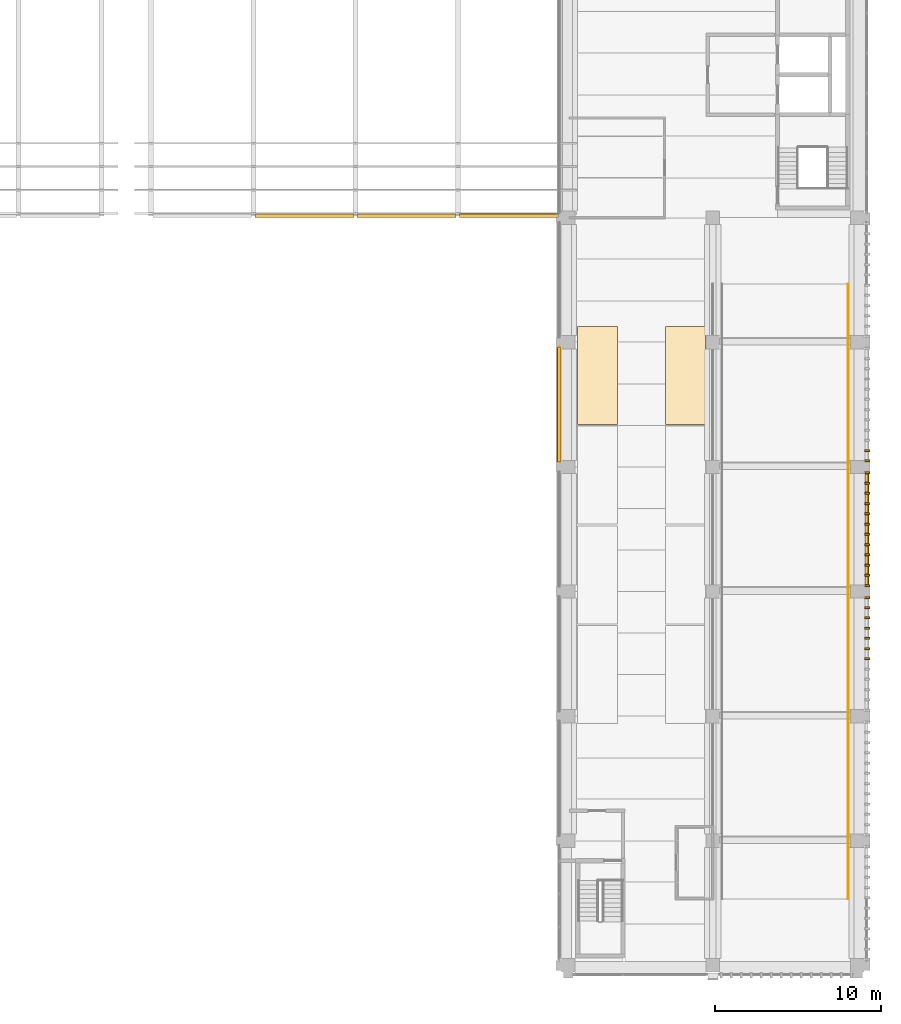
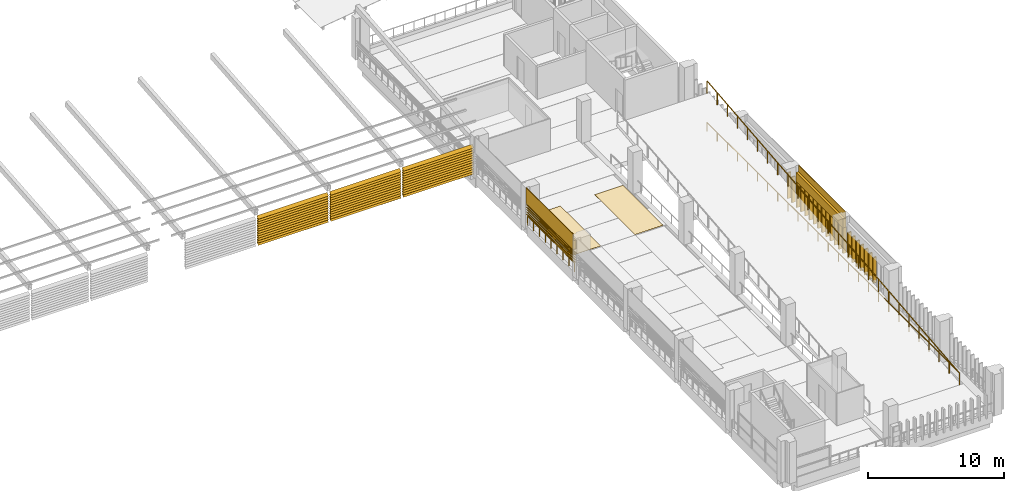
# One storey, part 48 of 52: 41 shading devices, 25 coverings, 3 railings.
"""IFC4 building model written with IfcOpenShell, lengths in metres."""

from ifc_helpers import new_model, si_unit, direction, frame, origin, origin_2d, place, context, subcontext, project, spatial, polyline, circle, outline, extrude, material, layer, layer_set, type_object, element, save


model = new_model("IFC4")

# Units and contexts
model_context = context("Model", 3, precision=1e-05, world=origin(), true_north=direction((0.0, 1.0)))
body_context = subcontext(model_context, "Body", "Model", "MODEL_VIEW")
ifc_project = project(units=[si_unit("LENGTHUNIT", "METRE"), si_unit("AREAUNIT", "SQUARE_METRE"), si_unit("VOLUMEUNIT", "CUBIC_METRE"), si_unit("PLANEANGLEUNIT", "RADIAN"), si_unit("MASSUNIT", "GRAM", prefix="KILO")], contexts=[model_context])

# Site, building, storey
site_placement = place(None, origin())
site = spatial("IfcSite", under=ifc_project, at=site_placement, CompositionType="ELEMENT")
building_placement = place(site_placement, origin())
building = spatial("IfcBuilding", under=site, at=building_placement, Name="Cour d'Honneur Mobility Palace", CompositionType="ELEMENT")
storey_placement = place(building_placement, frame((0.0, 0.0, 23.0)))
storey = spatial("IfcBuildingStorey", under=building, at=storey_placement, Name="L06", CompositionType="ELEMENT", Elevation=23.0)

# Railing
ifc_material_1 = material(Name="Painted steel", Category="steel")
railing_type_1 = type_object("IfcRailingType", Name="Balustrade", PredefinedType="BALUSTRADE", material=ifc_material_1)
railing_1_placement = place(storey_placement, frame((144.35009765625, 37.199951171875, 0.300048828125)))
element("IfcRailing", 1, at=railing_1_placement, inside=storey, type_object=railing_type_1, Name="Balustrade BAL-357", PredefinedType="BALUSTRADE", context=body_context, shape_type="SweptSolid", body=[
    extrude(circle(Radius=0.02392578125, at=origin_2d()), frame((0.0, 0.0, 0.77587890625), z_axis=(0.0, -1.0, 0.0), x_axis=(1.0, 0.0, 0.0)), (0.0, 0.0, 1.0), 6.89990234375),
    extrude(circle(Radius=0.02099609375, at=origin_2d()), origin(), (0.0, 0.0, 1.0), 0.751953125),
    extrude(circle(Radius=0.02099609375, at=origin_2d()), frame((0.0, -0.862548828125, 0.0)), (0.0, 0.0, 1.0), 0.751953125),
    extrude(circle(Radius=0.02099609375, at=origin_2d()), frame((0.0, -1.72509765625, 0.0)), (0.0, 0.0, 1.0), 0.751953125),
    extrude(circle(Radius=0.02099609375, at=origin_2d()), frame((0.0, -2.58740234375, 0.0)), (0.0, 0.0, 1.0), 0.751953125),
    extrude(circle(Radius=0.02099609375, at=origin_2d()), frame((0.0, -3.449951171875, 0.0)), (0.0, 0.0, 1.0), 0.751953125),
    extrude(circle(Radius=0.02099609375, at=origin_2d()), frame((0.0, -4.3125, 0.0)), (0.0, 0.0, 1.0), 0.751953125),
    extrude(circle(Radius=0.02099609375, at=origin_2d()), frame((0.0, -5.1748046875, 0.0)), (0.0, 0.0, 1.0), 0.751953125),
    extrude(circle(Radius=0.02099609375, at=origin_2d()), frame((0.0, -6.037353515625, 0.0)), (0.0, 0.0, 1.0), 0.751953125),
    extrude(circle(Radius=0.02099609375, at=origin_2d()), frame((0.0, -6.89990234375, 0.0)), (0.0, 0.0, 1.0), 0.751953125),
])

# Coverings
ifc_material_2 = material(Name="Parking marking paint")
ifc_layer_1 = layer(ifc_material_2, 0.0048828125)
ifc_layer_set_1 = layer_set([ifc_layer_1], Name="Parking marking paint")
covering_type_1 = type_object("IfcCoveringType", Name="Parking bay marking", PredefinedType="FLOORING", material=ifc_layer_set_1)
covering_1_placement = place(storey_placement, origin())
element("IfcCovering", 2, at=covering_1_placement, inside=storey, type_object=covering_type_1, Name="Parking bay marking L06 4", PredefinedType="FLOORING", context=body_context, shape_type="SweptSolid", body=[
    extrude(outline(polyline([(153.14990234375, 32.550048828125), (150.75, 32.550048828125), (150.75, 38.449951171875), (153.14990234375, 38.449951171875), (153.14990234375, 32.550048828125)])), origin(), (0.0, 0.0, 1.0), 0.0048828125),
])
covering_2_placement = place(storey_placement, origin())
element("IfcCovering", 3, at=covering_2_placement, inside=storey, type_object=covering_type_1, Name="Parking bay marking L06 8", PredefinedType="FLOORING", context=body_context, shape_type="SweptSolid", body=[
    extrude(outline(polyline([(147.85009765625, 32.550048828125), (145.449951171875, 32.550048828125), (145.449951171875, 38.449951171875), (147.85009765625, 38.449951171875), (147.85009765625, 32.550048828125)])), origin(), (0.0, 0.0, 1.0), 0.0048828125),
])

# Railing
ifc_material_3 = material(Name="Painted steel", Category="steel")
railing_type_2 = type_object("IfcRailingType", Name="Ramp guard 1100", PredefinedType="GUARDRAIL", material=ifc_material_3)
railing_2_placement = place(storey_placement, frame((161.75, 4.0, 0.0)))
element("IfcRailing", 4, at=railing_2_placement, inside=storey, type_object=railing_type_2, Name="Ramp guard Ramp East 7", PredefinedType="GUARDRAIL", context=body_context, shape_type="SweptSolid", body=[
    extrude(circle(Radius=0.02490234375, at=origin_2d()), frame((0.0, 0.0, 1.0751953125), z_axis=(0.0, 0.995037320222, 0.099502418892), x_axis=(-1.0, 0.0, 0.0)), (0.0, 0.0, 1.0), 37.1845703125),
    extrude(circle(Radius=0.02099609375, at=origin_2d()), origin(), (0.0, 0.0, 1.0), 1.050048828125),
    extrude(circle(Radius=0.02099609375, at=origin_2d()), frame((0.0, 1.47998046875, 0.14794921875)), (0.0, 0.0, 1.0), 1.050048828125),
    extrude(circle(Radius=0.02099609375, at=origin_2d()), frame((0.0, 2.9599609375, 0.2958984375)), (0.0, 0.0, 1.0), 1.050048828125),
    extrude(circle(Radius=0.02099609375, at=origin_2d()), frame((0.0, 4.43994140625, 0.444091796875)), (0.0, 0.0, 1.0), 1.050048828125),
    extrude(circle(Radius=0.02099609375, at=origin_2d()), frame((0.0, 5.919921875, 0.592041015625)), (0.0, 0.0, 1.0), 1.050048828125),
    extrude(circle(Radius=0.02099609375, at=origin_2d()), frame((0.0, 7.39990234375, 0.739990234375)), (0.0, 0.0, 1.0), 1.050048828125),
    extrude(circle(Radius=0.02099609375, at=origin_2d()), frame((0.0, 8.8798828125, 0.887939453125)), (0.0, 0.0, 1.0), 1.050048828125),
    extrude(circle(Radius=0.02099609375, at=origin_2d()), frame((0.0, 10.360107421875, 1.035888671875)), (0.0, 0.0, 1.0), 1.050048828125),
    extrude(circle(Radius=0.02099609375, at=origin_2d()), frame((0.0, 11.840087890625, 1.18408203125)), (0.0, 0.0, 1.0), 1.050048828125),
    extrude(circle(Radius=0.02099609375, at=origin_2d()), frame((0.0, 13.320068359375, 1.33203125)), (0.0, 0.0, 1.0), 1.050048828125),
    extrude(circle(Radius=0.02099609375, at=origin_2d()), frame((0.0, 14.800048828125, 1.47998046875)), (0.0, 0.0, 1.0), 1.050048828125),
    extrude(circle(Radius=0.02099609375, at=origin_2d()), frame((0.0, 16.280029296875, 1.6279296875)), (0.0, 0.0, 1.0), 1.050048828125),
    extrude(circle(Radius=0.02099609375, at=origin_2d()), frame((0.0, 17.760009765625, 1.77587890625)), (0.0, 0.0, 1.0), 1.050048828125),
    extrude(circle(Radius=0.02099609375, at=origin_2d()), frame((0.0, 19.239990234375, 1.924072265625)), (0.0, 0.0, 1.0), 1.050048828125),
    extrude(circle(Radius=0.02099609375, at=origin_2d()), frame((0.0, 20.719970703125, 2.072021484375)), (0.0, 0.0, 1.0), 1.050048828125),
    extrude(circle(Radius=0.02099609375, at=origin_2d()), frame((0.0, 22.199951171875, 2.219970703125)), (0.0, 0.0, 1.0), 1.050048828125),
    extrude(circle(Radius=0.02099609375, at=origin_2d()), frame((0.0, 23.679931640625, 2.367919921875)), (0.0, 0.0, 1.0), 1.050048828125),
    extrude(circle(Radius=0.02099609375, at=origin_2d()), frame((0.0, 25.159912109375, 2.515869140625)), (0.0, 0.0, 1.0), 1.050048828125),
    extrude(circle(Radius=0.02099609375, at=origin_2d()), frame((0.0, 26.639892578125, 2.6640625)), (0.0, 0.0, 1.0), 1.050048828125),
    extrude(circle(Radius=0.02099609375, at=origin_2d()), frame((0.0, 28.1201171875, 2.81201171875)), (0.0, 0.0, 1.0), 1.050048828125),
    extrude(circle(Radius=0.02099609375, at=origin_2d()), frame((0.0, 29.60009765625, 2.9599609375)), (0.0, 0.0, 1.0), 1.050048828125),
    extrude(circle(Radius=0.02099609375, at=origin_2d()), frame((0.0, 31.080078125, 3.10791015625)), (0.0, 0.0, 1.0), 1.050048828125),
    extrude(circle(Radius=0.02099609375, at=origin_2d()), frame((0.0, 32.56005859375, 3.255859375)), (0.0, 0.0, 1.0), 1.050048828125),
    extrude(circle(Radius=0.02099609375, at=origin_2d()), frame((0.0, 34.0400390625, 3.404052734375)), (0.0, 0.0, 1.0), 1.050048828125),
    extrude(circle(Radius=0.02099609375, at=origin_2d()), frame((0.0, 35.52001953125, 3.552001953125)), (0.0, 0.0, 1.0), 1.050048828125),
    extrude(circle(Radius=0.02099609375, at=origin_2d()), frame((0.0, 37.0, 3.699951171875)), (0.0, 0.0, 1.0), 1.050048828125),
])

# Coverings
ifc_material_4 = material(Name="Cast limestone", Category="masonry")
ifc_layer_2 = layer(ifc_material_4, 0.1201171875)
ifc_layer_set_2 = layer_set([ifc_layer_2], Name="Cast limestone")
covering_type_2 = type_object("IfcCoveringType", Name="Ramp screen fin", PredefinedType="CLADDING", material=ifc_layer_set_2)
covering_3_placement = place(storey_placement, origin())
element("IfcCovering", 5, at=covering_3_placement, inside=storey, type_object=covering_type_2, Name="Ramp screen fin E5.2 L06 6", PredefinedType="CLADDING", context=body_context, shape_type="SweptSolid", body=[
    extrude(outline(polyline([(162.75, 18.3818359375), (162.75, 18.501708984375), (163.050048828125, 18.501708984375), (163.050048828125, 18.3818359375), (162.75, 18.3818359375)])), origin(), (0.0, 0.0, 1.0), 2.300048828125),
])
covering_4_placement = place(storey_placement, origin())
element("IfcCovering", 6, at=covering_4_placement, inside=storey, type_object=covering_type_2, Name="Ramp screen fin E5.2 L06 7", PredefinedType="CLADDING", context=body_context, shape_type="SweptSolid", body=[
    extrude(outline(polyline([(162.75, 18.998291015625), (162.75, 19.1181640625), (163.050048828125, 19.1181640625), (163.050048828125, 18.998291015625), (162.75, 18.998291015625)])), origin(), (0.0, 0.0, 1.0), 2.300048828125),
])
covering_5_placement = place(storey_placement, origin())
element("IfcCovering", 7, at=covering_5_placement, inside=storey, type_object=covering_type_2, Name="Ramp screen fin E5.2 L06 8", PredefinedType="CLADDING", context=body_context, shape_type="SweptSolid", body=[
    extrude(outline(polyline([(162.75, 19.614501953125), (162.75, 19.734619140625), (163.050048828125, 19.734619140625), (163.050048828125, 19.614501953125), (162.75, 19.614501953125)])), origin(), (0.0, 0.0, 1.0), 2.300048828125),
])
covering_6_placement = place(storey_placement, origin())
element("IfcCovering", 8, at=covering_6_placement, inside=storey, type_object=covering_type_2, Name="Ramp screen fin E5.2 L06 9", PredefinedType="CLADDING", context=body_context, shape_type="SweptSolid", body=[
    extrude(outline(polyline([(162.75, 20.23095703125), (162.75, 20.350830078125), (163.050048828125, 20.350830078125), (163.050048828125, 20.23095703125), (162.75, 20.23095703125)])), origin(), (0.0, 0.0, 1.0), 2.300048828125),
])
covering_7_placement = place(storey_placement, origin())
element("IfcCovering", 9, at=covering_7_placement, inside=storey, type_object=covering_type_2, Name="Ramp screen fin E5.2 L06 10", PredefinedType="CLADDING", context=body_context, shape_type="SweptSolid", body=[
    extrude(outline(polyline([(162.75, 20.84716796875), (162.75, 20.96728515625), (163.050048828125, 20.96728515625), (163.050048828125, 20.84716796875), (162.75, 20.84716796875)])), origin(), (0.0, 0.0, 1.0), 2.300048828125),
])
covering_8_placement = place(storey_placement, origin())
element("IfcCovering", 10, at=covering_8_placement, inside=storey, type_object=covering_type_2, Name="Ramp screen fin E5.2 L06 11", PredefinedType="CLADDING", context=body_context, shape_type="SweptSolid", body=[
    extrude(outline(polyline([(162.75, 21.463623046875), (162.75, 21.583740234375), (163.050048828125, 21.583740234375), (163.050048828125, 21.463623046875), (162.75, 21.463623046875)])), origin(), (0.0, 0.0, 1.0), 2.300048828125),
])
covering_9_placement = place(storey_placement, origin())
element("IfcCovering", 11, at=covering_9_placement, inside=storey, type_object=covering_type_2, Name="Ramp screen fin E5.2 L06 12", PredefinedType="CLADDING", context=body_context, shape_type="SweptSolid", body=[
    extrude(outline(polyline([(162.75, 22.080078125), (162.75, 22.199951171875), (163.050048828125, 22.199951171875), (163.050048828125, 22.080078125), (162.75, 22.080078125)])), origin(), (0.0, 0.0, 1.0), 2.300048828125),
])
covering_10_placement = place(storey_placement, origin())
element("IfcCovering", 12, at=covering_10_placement, inside=storey, type_object=covering_type_2, Name="Ramp screen fin E5.3 L06 1", PredefinedType="CLADDING", context=body_context, shape_type="SweptSolid", body=[
    extrude(outline(polyline([(162.75, 22.800048828125), (162.75, 22.919921875), (163.050048828125, 22.919921875), (163.050048828125, 22.800048828125), (162.75, 22.800048828125)])), origin(), (0.0, 0.0, 1.0), 2.300048828125),
])
covering_11_placement = place(storey_placement, origin())
element("IfcCovering", 13, at=covering_11_placement, inside=storey, type_object=covering_type_2, Name="Ramp screen fin E5.3 L06 2", PredefinedType="CLADDING", context=body_context, shape_type="SweptSolid", body=[
    extrude(outline(polyline([(162.75, 23.416259765625), (162.75, 23.536376953125), (163.050048828125, 23.536376953125), (163.050048828125, 23.416259765625), (162.75, 23.416259765625)])), origin(), (0.0, 0.0, 1.0), 2.300048828125),
])
covering_12_placement = place(storey_placement, origin())
element("IfcCovering", 14, at=covering_12_placement, inside=storey, type_object=covering_type_2, Name="Ramp screen fin E5.3 L06 3", PredefinedType="CLADDING", context=body_context, shape_type="SweptSolid", body=[
    extrude(outline(polyline([(162.75, 24.03271484375), (162.75, 24.15283203125), (163.050048828125, 24.15283203125), (163.050048828125, 24.03271484375), (162.75, 24.03271484375)])), origin(), (0.0, 0.0, 1.0), 2.300048828125),
])
covering_13_placement = place(storey_placement, origin())
element("IfcCovering", 15, at=covering_13_placement, inside=storey, type_object=covering_type_2, Name="Ramp screen fin E5.3 L06 4", PredefinedType="CLADDING", context=body_context, shape_type="SweptSolid", body=[
    extrude(outline(polyline([(162.75, 24.649169921875), (162.75, 24.76904296875), (163.050048828125, 24.76904296875), (163.050048828125, 24.649169921875), (162.75, 24.649169921875)])), origin(), (0.0, 0.0, 1.0), 2.300048828125),
])
covering_14_placement = place(storey_placement, origin())
element("IfcCovering", 16, at=covering_14_placement, inside=storey, type_object=covering_type_2, Name="Ramp screen fin E5.3 L06 5", PredefinedType="CLADDING", context=body_context, shape_type="SweptSolid", body=[
    extrude(outline(polyline([(162.75, 25.265380859375), (162.75, 25.385498046875), (163.050048828125, 25.385498046875), (163.050048828125, 25.265380859375), (162.75, 25.265380859375)])), origin(), (0.0, 0.0, 1.0), 2.300048828125),
])
covering_15_placement = place(storey_placement, origin())
element("IfcCovering", 17, at=covering_15_placement, inside=storey, type_object=covering_type_2, Name="Ramp screen fin E5.3 L06 6", PredefinedType="CLADDING", context=body_context, shape_type="SweptSolid", body=[
    extrude(outline(polyline([(162.75, 25.8818359375), (162.75, 26.001708984375), (163.050048828125, 26.001708984375), (163.050048828125, 25.8818359375), (162.75, 25.8818359375)])), origin(), (0.0, 0.0, 1.0), 2.300048828125),
])
covering_16_placement = place(storey_placement, origin())
element("IfcCovering", 18, at=covering_16_placement, inside=storey, type_object=covering_type_2, Name="Ramp screen fin E5.3 L06 7", PredefinedType="CLADDING", context=body_context, shape_type="SweptSolid", body=[
    extrude(outline(polyline([(162.75, 26.498291015625), (162.75, 26.6181640625), (163.050048828125, 26.6181640625), (163.050048828125, 26.498291015625), (162.75, 26.498291015625)])), origin(), (0.0, 0.0, 1.0), 2.300048828125),
])
covering_17_placement = place(storey_placement, origin())
element("IfcCovering", 19, at=covering_17_placement, inside=storey, type_object=covering_type_2, Name="Ramp screen fin E5.3 L06 8", PredefinedType="CLADDING", context=body_context, shape_type="SweptSolid", body=[
    extrude(outline(polyline([(162.75, 27.114501953125), (162.75, 27.234619140625), (163.050048828125, 27.234619140625), (163.050048828125, 27.114501953125), (162.75, 27.114501953125)])), origin(), (0.0, 0.0, 1.0), 2.300048828125),
])
covering_18_placement = place(storey_placement, origin())
element("IfcCovering", 20, at=covering_18_placement, inside=storey, type_object=covering_type_2, Name="Ramp screen fin E5.3 L06 9", PredefinedType="CLADDING", context=body_context, shape_type="SweptSolid", body=[
    extrude(outline(polyline([(162.75, 27.73095703125), (162.75, 27.850830078125), (163.050048828125, 27.850830078125), (163.050048828125, 27.73095703125), (162.75, 27.73095703125)])), origin(), (0.0, 0.0, 1.0), 2.300048828125),
])
covering_19_placement = place(storey_placement, origin())
element("IfcCovering", 21, at=covering_19_placement, inside=storey, type_object=covering_type_2, Name="Ramp screen fin E5.3 L06 10", PredefinedType="CLADDING", context=body_context, shape_type="SweptSolid", body=[
    extrude(outline(polyline([(162.75, 28.34716796875), (162.75, 28.46728515625), (163.050048828125, 28.46728515625), (163.050048828125, 28.34716796875), (162.75, 28.34716796875)])), origin(), (0.0, 0.0, 1.0), 2.300048828125),
])
covering_20_placement = place(storey_placement, origin())
element("IfcCovering", 22, at=covering_20_placement, inside=storey, type_object=covering_type_2, Name="Ramp screen fin E5.3 L06 11", PredefinedType="CLADDING", context=body_context, shape_type="SweptSolid", body=[
    extrude(outline(polyline([(162.75, 28.963623046875), (162.75, 29.083740234375), (163.050048828125, 29.083740234375), (163.050048828125, 28.963623046875), (162.75, 28.963623046875)])), origin(), (0.0, 0.0, 1.0), 2.300048828125),
])
covering_21_placement = place(storey_placement, origin())
element("IfcCovering", 23, at=covering_21_placement, inside=storey, type_object=covering_type_2, Name="Ramp screen fin E5.3 L06 12", PredefinedType="CLADDING", context=body_context, shape_type="SweptSolid", body=[
    extrude(outline(polyline([(162.75, 29.580078125), (162.75, 29.699951171875), (163.050048828125, 29.699951171875), (163.050048828125, 29.580078125), (162.75, 29.580078125)])), origin(), (0.0, 0.0, 1.0), 2.300048828125),
])
covering_22_placement = place(storey_placement, origin())
element("IfcCovering", 24, at=covering_22_placement, inside=storey, type_object=covering_type_2, Name="Ramp screen fin E5.4 L06 1", PredefinedType="CLADDING", context=body_context, shape_type="SweptSolid", body=[
    extrude(outline(polyline([(162.75, 30.300048828125), (162.75, 30.419921875), (163.050048828125, 30.419921875), (163.050048828125, 30.300048828125), (162.75, 30.300048828125)])), origin(), (0.0, 0.0, 1.0), 2.300048828125),
])
covering_23_placement = place(storey_placement, origin())
element("IfcCovering", 25, at=covering_23_placement, inside=storey, type_object=covering_type_2, Name="Ramp screen fin E5.4 L06 2", PredefinedType="CLADDING", context=body_context, shape_type="SweptSolid", body=[
    extrude(outline(polyline([(162.75, 30.916259765625), (162.75, 31.036376953125), (163.050048828125, 31.036376953125), (163.050048828125, 30.916259765625), (162.75, 30.916259765625)])), origin(), (0.0, 0.0, 1.0), 2.300048828125),
])
ifc_material_5 = material(Name="Cast limestone", Category="masonry")
ifc_layer_3 = layer(ifc_material_5, 0.25)
ifc_layer_set_3 = layer_set([ifc_layer_3], Name="Cast limestone")
covering_type_3 = type_object("IfcCoveringType", Name="Spandrel cladding", PredefinedType="CLADDING", material=ifc_layer_set_3)
for number, where, z_axis, x_axis, name in (
    (26, (162.75, 22.800048828125, 2.300048828125), (0.0, -1.0, 0.0), (1.0, 0.0, 0.0), "Spandrel cladding SK-369"),
    (27, (144.449951171875, 37.199951171875, 2.300048828125), (0.0, 1.0, 0.0), (-1.0, 0.0, 0.0), "Spandrel cladding SK-372"),
):
    element("IfcCovering", number, at=place(storey_placement, frame(where, z_axis=z_axis, x_axis=x_axis)), inside=storey, type_object=covering_type_3, Name=name, PredefinedType="CLADDING", context=body_context, shape_type="SweptSolid", body=[
        extrude(outline(polyline([(0.0, 0.0), (0.25, 0.0), (0.25, 1.39990234375), (0.199951171875, 1.39990234375), (0.199951171875, 0.800048828125), (0.0, 0.800048828125), (0.0, 0.0)])), origin(), (0.0, 0.0, -1.0), 6.89990234375),
    ])

# Shading devices
ifc_material_6 = material(Name="Terracotta", Category="masonry")
ifc_layer_4 = layer(ifc_material_6, 0.02490234375)
ifc_layer_set_4 = layer_set([ifc_layer_4], Name="Terracotta")
shading_device_type = type_object("IfcShadingDeviceType", Name="Terracotta louvre blade", PredefinedType="JALOUSIE", material=ifc_layer_set_4)
shading_device_1_placement = place(storey_placement, frame((144.4560546875, 37.199951171875, 1.10009765625), z_axis=(0.706699578995, 0.0, 0.707513749017), x_axis=(0.0, -1.0, 0.0)))
element("IfcShadingDevice", 28, at=shading_device_1_placement, inside=storey, type_object=shading_device_type, Name="Louvre blade LV-1 W7.2 L06 1", PredefinedType="JALOUSIE", context=body_context, shape_type="SweptSolid", body=[
    extrude(outline(polyline([(0.0, 0.0), (6.89990234375, 0.0), (6.89990234375, -0.29986442442957895), (0.0, -0.29986442442957895), (0.0, 0.0)])), origin(), (0.0, 0.0, -1.0), 0.02490234375),
])
for number, where, z_axis, x_axis, name in (
    (29, (144.4560546875, 37.199951171875, 1.31201171875), (0.707106781187, 0.0, 0.707106781187), (0.0, -1.0, 0.0), "Louvre blade LV-1 W7.2 L06 2"),
    (30, (144.4560546875, 37.199951171875, 1.524169921875), (0.707106781187, 0.0, 0.707106781187), (0.0, -1.0, 0.0), "Louvre blade LV-1 W7.2 L06 3"),
    (31, (144.4560546875, 37.199951171875, 1.736328125), (0.707106781187, 0.0, 0.707106781187), (0.0, -1.0, 0.0), "Louvre blade LV-1 W7.2 L06 4"),
    (32, (144.4560546875, 37.199951171875, 1.948486328125), (0.707106781187, 0.0, 0.707106781187), (0.0, -1.0, 0.0), "Louvre blade LV-1 W7.2 L06 5"),
):
    element("IfcShadingDevice", number, at=place(storey_placement, frame(where, z_axis=z_axis, x_axis=x_axis)), inside=storey, type_object=shading_device_type, Name=name, PredefinedType="JALOUSIE", context=body_context, shape_type="SweptSolid", body=[
        extrude(outline(polyline([(0.0, 0.0), (6.89990234375, 0.0), (6.89990234375, -0.300037008228081), (0.0, -0.300037008228081), (0.0, 0.0)])), origin(), (0.0, 0.0, -1.0), 0.02490234375),
    ])
for number, where, z_axis, x_axis, name in (
    (33, (126.050048828125, 45.01904296875, 0.124267578125), (0.0, -0.707513749017, 0.706699578995), (1.0, 0.0, 0.0), "Louvre blade LV-2 FE PG-FE-S2 3"),
    (34, (126.050048828125, 45.01904296875, 0.33642578125), (0.0, -0.707513749017, 0.706699578995), (1.0, 0.0, 0.0), "Louvre blade LV-2 FE PG-FE-S2 4"),
    (35, (126.050048828125, 45.01904296875, 0.548583984375), (0.0, -0.707513749017, 0.706699578995), (1.0, 0.0, 0.0), "Louvre blade LV-2 FE PG-FE-S2 5"),
    (36, (126.050048828125, 45.01904296875, 0.7607421875), (0.0, -0.707513749017, 0.706699578995), (1.0, 0.0, 0.0), "Louvre blade LV-2 FE PG-FE-S2 6"),
):
    element("IfcShadingDevice", number, at=place(storey_placement, frame(where, z_axis=z_axis, x_axis=x_axis)), inside=storey, type_object=shading_device_type, Name=name, PredefinedType="JALOUSIE", context=body_context, shape_type="SweptSolid", body=[
        extrude(outline(polyline([(0.0, 0.0), (5.949951171875, 0.0), (5.949951171875, 0.29986442442957895), (0.0, 0.29986442442957895), (0.0, 0.0)])), origin(), (0.0, 0.0, -1.0), 0.02490234375),
    ])
shading_device_2_placement = place(storey_placement, frame((126.050048828125, 45.01904296875, 0.972900390625), z_axis=(0.0, -0.707106781187, 0.707106781187), x_axis=(1.0, 0.0, 0.0)))
element("IfcShadingDevice", 37, at=shading_device_2_placement, inside=storey, type_object=shading_device_type, Name="Louvre blade LV-2 FE PG-FE-S2 7", PredefinedType="JALOUSIE", context=body_context, shape_type="SweptSolid", body=[
    extrude(outline(polyline([(0.0, 0.0), (5.949951171875, 0.0), (5.949951171875, 0.29969174124507975), (0.0, 0.29969174124507975), (0.0, 0.0)])), origin(), (0.0, 0.0, -1.0), 0.02490234375),
])
for number, where, z_axis, x_axis, name in (
    (38, (126.050048828125, 45.01904296875, 1.184814453125), (0.0, -0.707513749017, 0.706699578995), (1.0, 0.0, 0.0), "Louvre blade LV-2 FE PG-FE-S2 8"),
    (39, (126.050048828125, 45.01904296875, 1.39697265625), (0.0, -0.707513749017, 0.706699578995), (1.0, 0.0, 0.0), "Louvre blade LV-2 FE PG-FE-S2 9"),
    (40, (126.050048828125, 45.01904296875, 1.609130859375), (0.0, -0.707513749017, 0.706699578995), (1.0, 0.0, 0.0), "Louvre blade LV-2 FE PG-FE-S2 10"),
    (41, (126.050048828125, 45.01904296875, 1.8212890625), (0.0, -0.707513749017, 0.706699578995), (1.0, 0.0, 0.0), "Louvre blade LV-2 FE PG-FE-S2 11"),
    (42, (126.050048828125, 45.01904296875, 2.033447265625), (0.0, -0.707513749017, 0.706699578995), (1.0, 0.0, 0.0), "Louvre blade LV-2 FE PG-FE-S2 12"),
    (43, (126.050048828125, 45.01904296875, 2.24560546875), (0.0, -0.707513749017, 0.706699578995), (1.0, 0.0, 0.0), "Louvre blade LV-2 FE PG-FE-S2 13"),
    (44, (126.050048828125, 45.01904296875, 2.457763671875), (0.0, -0.707513749017, 0.706699578995), (1.0, 0.0, 0.0), "Louvre blade LV-2 FE PG-FE-S2 14"),
    (45, (132.199951171875, 45.01904296875, 0.124267578125), (0.0, -0.707513749017, 0.706699578995), (1.0, 0.0, 0.0), "Louvre blade LV-2 FE PG-FE-S3 3"),
    (46, (132.199951171875, 45.01904296875, 0.33642578125), (0.0, -0.707513749017, 0.706699578995), (1.0, 0.0, 0.0), "Louvre blade LV-2 FE PG-FE-S3 4"),
    (47, (132.199951171875, 45.01904296875, 0.548583984375), (0.0, -0.707513749017, 0.706699578995), (1.0, 0.0, 0.0), "Louvre blade LV-2 FE PG-FE-S3 5"),
    (48, (132.199951171875, 45.01904296875, 0.7607421875), (0.0, -0.707513749017, 0.706699578995), (1.0, 0.0, 0.0), "Louvre blade LV-2 FE PG-FE-S3 6"),
):
    element("IfcShadingDevice", number, at=place(storey_placement, frame(where, z_axis=z_axis, x_axis=x_axis)), inside=storey, type_object=shading_device_type, Name=name, PredefinedType="JALOUSIE", context=body_context, shape_type="SweptSolid", body=[
        extrude(outline(polyline([(0.0, 0.0), (5.949951171875, 0.0), (5.949951171875, 0.29986442442957895), (0.0, 0.29986442442957895), (0.0, 0.0)])), origin(), (0.0, 0.0, -1.0), 0.02490234375),
    ])
shading_device_3_placement = place(storey_placement, frame((132.199951171875, 45.01904296875, 0.972900390625), z_axis=(0.0, -0.707106781187, 0.707106781187), x_axis=(1.0, 0.0, 0.0)))
element("IfcShadingDevice", 49, at=shading_device_3_placement, inside=storey, type_object=shading_device_type, Name="Louvre blade LV-2 FE PG-FE-S3 7", PredefinedType="JALOUSIE", context=body_context, shape_type="SweptSolid", body=[
    extrude(outline(polyline([(0.0, 0.0), (5.949951171875, 0.0), (5.949951171875, 0.29969174124507975), (0.0, 0.29969174124507975), (0.0, 0.0)])), origin(), (0.0, 0.0, -1.0), 0.02490234375),
])
for number, where, z_axis, x_axis, name in (
    (50, (132.199951171875, 45.01904296875, 1.184814453125), (0.0, -0.707513749017, 0.706699578995), (1.0, 0.0, 0.0), "Louvre blade LV-2 FE PG-FE-S3 8"),
    (51, (132.199951171875, 45.01904296875, 1.39697265625), (0.0, -0.707513749017, 0.706699578995), (1.0, 0.0, 0.0), "Louvre blade LV-2 FE PG-FE-S3 9"),
    (52, (132.199951171875, 45.01904296875, 1.609130859375), (0.0, -0.707513749017, 0.706699578995), (1.0, 0.0, 0.0), "Louvre blade LV-2 FE PG-FE-S3 10"),
    (53, (132.199951171875, 45.01904296875, 1.8212890625), (0.0, -0.707513749017, 0.706699578995), (1.0, 0.0, 0.0), "Louvre blade LV-2 FE PG-FE-S3 11"),
    (54, (132.199951171875, 45.01904296875, 2.033447265625), (0.0, -0.707513749017, 0.706699578995), (1.0, 0.0, 0.0), "Louvre blade LV-2 FE PG-FE-S3 12"),
    (55, (132.199951171875, 45.01904296875, 2.24560546875), (0.0, -0.707513749017, 0.706699578995), (1.0, 0.0, 0.0), "Louvre blade LV-2 FE PG-FE-S3 13"),
    (56, (132.199951171875, 45.01904296875, 2.457763671875), (0.0, -0.707513749017, 0.706699578995), (1.0, 0.0, 0.0), "Louvre blade LV-2 FE PG-FE-S3 14"),
    (57, (138.35009765625, 45.01904296875, 0.124267578125), (0.0, -0.707513749017, 0.706699578995), (1.0, 0.0, 0.0), "Louvre blade LV-2 FE PG-FE-S4 3"),
    (58, (138.35009765625, 45.01904296875, 0.33642578125), (0.0, -0.707513749017, 0.706699578995), (1.0, 0.0, 0.0), "Louvre blade LV-2 FE PG-FE-S4 4"),
    (59, (138.35009765625, 45.01904296875, 0.548583984375), (0.0, -0.707513749017, 0.706699578995), (1.0, 0.0, 0.0), "Louvre blade LV-2 FE PG-FE-S4 5"),
    (60, (138.35009765625, 45.01904296875, 0.7607421875), (0.0, -0.707513749017, 0.706699578995), (1.0, 0.0, 0.0), "Louvre blade LV-2 FE PG-FE-S4 6"),
):
    element("IfcShadingDevice", number, at=place(storey_placement, frame(where, z_axis=z_axis, x_axis=x_axis)), inside=storey, type_object=shading_device_type, Name=name, PredefinedType="JALOUSIE", context=body_context, shape_type="SweptSolid", body=[
        extrude(outline(polyline([(0.0, 0.0), (5.949951171875, 0.0), (5.949951171875, 0.29986442442957895), (0.0, 0.29986442442957895), (0.0, 0.0)])), origin(), (0.0, 0.0, -1.0), 0.02490234375),
    ])
shading_device_4_placement = place(storey_placement, frame((138.35009765625, 45.01904296875, 0.972900390625), z_axis=(0.0, -0.707106781187, 0.707106781187), x_axis=(1.0, 0.0, 0.0)))
element("IfcShadingDevice", 61, at=shading_device_4_placement, inside=storey, type_object=shading_device_type, Name="Louvre blade LV-2 FE PG-FE-S4 7", PredefinedType="JALOUSIE", context=body_context, shape_type="SweptSolid", body=[
    extrude(outline(polyline([(0.0, 0.0), (5.949951171875, 0.0), (5.949951171875, 0.29969174124507975), (0.0, 0.29969174124507975), (0.0, 0.0)])), origin(), (0.0, 0.0, -1.0), 0.02490234375),
])
for number, where, z_axis, x_axis, name in (
    (62, (138.35009765625, 45.01904296875, 1.184814453125), (0.0, -0.707513749017, 0.706699578995), (1.0, 0.0, 0.0), "Louvre blade LV-2 FE PG-FE-S4 8"),
    (63, (138.35009765625, 45.01904296875, 1.39697265625), (0.0, -0.707513749017, 0.706699578995), (1.0, 0.0, 0.0), "Louvre blade LV-2 FE PG-FE-S4 9"),
    (64, (138.35009765625, 45.01904296875, 1.609130859375), (0.0, -0.707513749017, 0.706699578995), (1.0, 0.0, 0.0), "Louvre blade LV-2 FE PG-FE-S4 10"),
    (65, (138.35009765625, 45.01904296875, 1.8212890625), (0.0, -0.707513749017, 0.706699578995), (1.0, 0.0, 0.0), "Louvre blade LV-2 FE PG-FE-S4 11"),
    (66, (138.35009765625, 45.01904296875, 2.033447265625), (0.0, -0.707513749017, 0.706699578995), (1.0, 0.0, 0.0), "Louvre blade LV-2 FE PG-FE-S4 12"),
    (67, (138.35009765625, 45.01904296875, 2.24560546875), (0.0, -0.707513749017, 0.706699578995), (1.0, 0.0, 0.0), "Louvre blade LV-2 FE PG-FE-S4 13"),
    (68, (138.35009765625, 45.01904296875, 2.457763671875), (0.0, -0.707513749017, 0.706699578995), (1.0, 0.0, 0.0), "Louvre blade LV-2 FE PG-FE-S4 14"),
):
    element("IfcShadingDevice", number, at=place(storey_placement, frame(where, z_axis=z_axis, x_axis=x_axis)), inside=storey, type_object=shading_device_type, Name=name, PredefinedType="JALOUSIE", context=body_context, shape_type="SweptSolid", body=[
        extrude(outline(polyline([(0.0, 0.0), (5.949951171875, 0.0), (5.949951171875, 0.29986442442957895), (0.0, 0.29986442442957895), (0.0, 0.0)])), origin(), (0.0, 0.0, -1.0), 0.02490234375),
    ])

# Railing
ifc_material_7 = material(Name="Painted steel", Category="steel")
railing_type_3 = type_object("IfcRailingType", Name="Void edge guard 1100", PredefinedType="GUARDRAIL", material=ifc_material_7)
railing_3_placement = place(storey_placement, frame((161.75, 4.0, 0.300048828125)))
element("IfcRailing", 69, at=railing_3_placement, inside=storey, type_object=railing_type_3, Name="Void edge guard SE L06", PredefinedType="GUARDRAIL", context=body_context, shape_type="SweptSolid", body=[
    extrude(circle(Radius=0.02490234375, at=origin_2d()), frame((0.0, 0.0, 0.77490234375), z_axis=(0.0, 1.0, 0.0), x_axis=(-1.0, 0.0, 0.0)), (0.0, 0.0, 1.0), 37.0),
    extrude(circle(Radius=0.02099609375, at=origin_2d()), origin(), (0.0, 0.0, 1.0), 0.75),
    extrude(circle(Radius=0.02099609375, at=origin_2d()), frame((0.0, 1.47998046875, 0.0)), (0.0, 0.0, 1.0), 0.75),
    extrude(circle(Radius=0.02099609375, at=origin_2d()), frame((0.0, 2.9599609375, 0.0)), (0.0, 0.0, 1.0), 0.75),
    extrude(circle(Radius=0.02099609375, at=origin_2d()), frame((0.0, 4.43994140625, 0.0)), (0.0, 0.0, 1.0), 0.75),
    extrude(circle(Radius=0.02099609375, at=origin_2d()), frame((0.0, 5.919921875, 0.0)), (0.0, 0.0, 1.0), 0.75),
    extrude(circle(Radius=0.02099609375, at=origin_2d()), frame((0.0, 7.39990234375, 0.0)), (0.0, 0.0, 1.0), 0.75),
    extrude(circle(Radius=0.02099609375, at=origin_2d()), frame((0.0, 8.8798828125, 0.0)), (0.0, 0.0, 1.0), 0.75),
    extrude(circle(Radius=0.02099609375, at=origin_2d()), frame((0.0, 10.360107421875, 0.0)), (0.0, 0.0, 1.0), 0.75),
    extrude(circle(Radius=0.02099609375, at=origin_2d()), frame((0.0, 11.840087890625, 0.0)), (0.0, 0.0, 1.0), 0.75),
    extrude(circle(Radius=0.02099609375, at=origin_2d()), frame((0.0, 13.320068359375, 0.0)), (0.0, 0.0, 1.0), 0.75),
    extrude(circle(Radius=0.02099609375, at=origin_2d()), frame((0.0, 14.800048828125, 0.0)), (0.0, 0.0, 1.0), 0.75),
    extrude(circle(Radius=0.02099609375, at=origin_2d()), frame((0.0, 16.280029296875, 0.0)), (0.0, 0.0, 1.0), 0.75),
    extrude(circle(Radius=0.02099609375, at=origin_2d()), frame((0.0, 17.760009765625, 0.0)), (0.0, 0.0, 1.0), 0.75),
    extrude(circle(Radius=0.02099609375, at=origin_2d()), frame((0.0, 19.239990234375, 0.0)), (0.0, 0.0, 1.0), 0.75),
    extrude(circle(Radius=0.02099609375, at=origin_2d()), frame((0.0, 20.719970703125, 0.0)), (0.0, 0.0, 1.0), 0.75),
    extrude(circle(Radius=0.02099609375, at=origin_2d()), frame((0.0, 22.199951171875, 0.0)), (0.0, 0.0, 1.0), 0.75),
    extrude(circle(Radius=0.02099609375, at=origin_2d()), frame((0.0, 23.679931640625, 0.0)), (0.0, 0.0, 1.0), 0.75),
    extrude(circle(Radius=0.02099609375, at=origin_2d()), frame((0.0, 25.159912109375, 0.0)), (0.0, 0.0, 1.0), 0.75),
    extrude(circle(Radius=0.02099609375, at=origin_2d()), frame((0.0, 26.639892578125, 0.0)), (0.0, 0.0, 1.0), 0.75),
    extrude(circle(Radius=0.02099609375, at=origin_2d()), frame((0.0, 28.1201171875, 0.0)), (0.0, 0.0, 1.0), 0.75),
    extrude(circle(Radius=0.02099609375, at=origin_2d()), frame((0.0, 29.60009765625, 0.0)), (0.0, 0.0, 1.0), 0.75),
    extrude(circle(Radius=0.02099609375, at=origin_2d()), frame((0.0, 31.080078125, 0.0)), (0.0, 0.0, 1.0), 0.75),
    extrude(circle(Radius=0.02099609375, at=origin_2d()), frame((0.0, 32.56005859375, 0.0)), (0.0, 0.0, 1.0), 0.75),
    extrude(circle(Radius=0.02099609375, at=origin_2d()), frame((0.0, 34.0400390625, 0.0)), (0.0, 0.0, 1.0), 0.75),
    extrude(circle(Radius=0.02099609375, at=origin_2d()), frame((0.0, 35.52001953125, 0.0)), (0.0, 0.0, 1.0), 0.75),
    extrude(circle(Radius=0.02099609375, at=origin_2d()), frame((0.0, 37.0, 0.0)), (0.0, 0.0, 1.0), 0.75),
])

save(model, "model.ifc")
